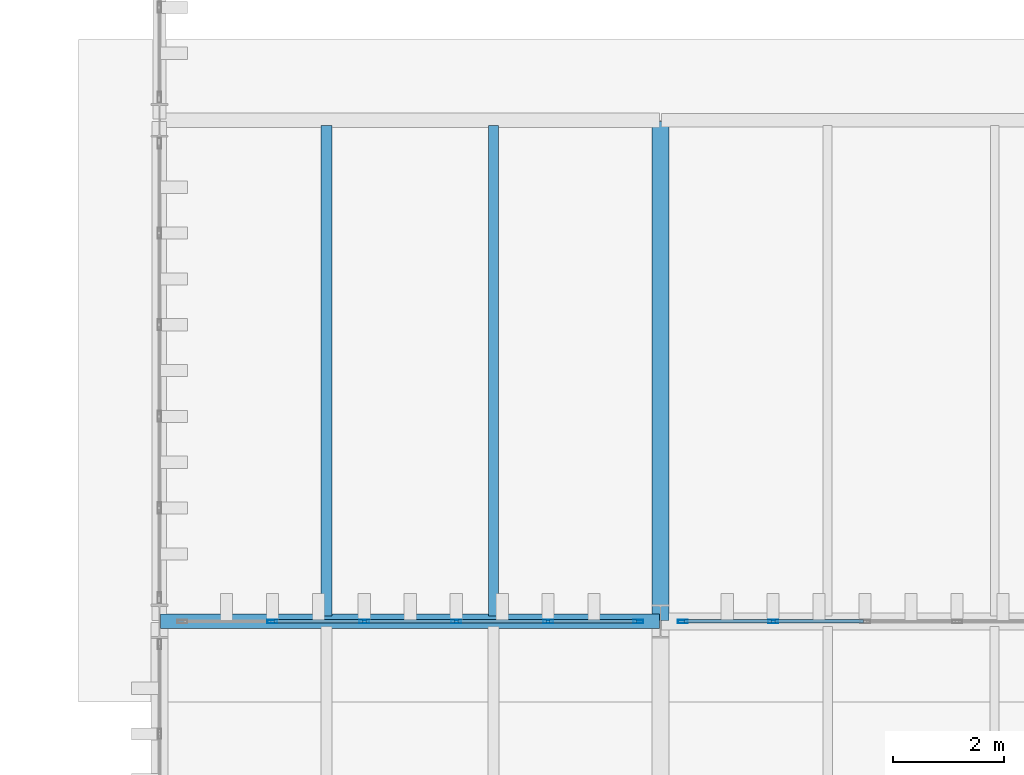
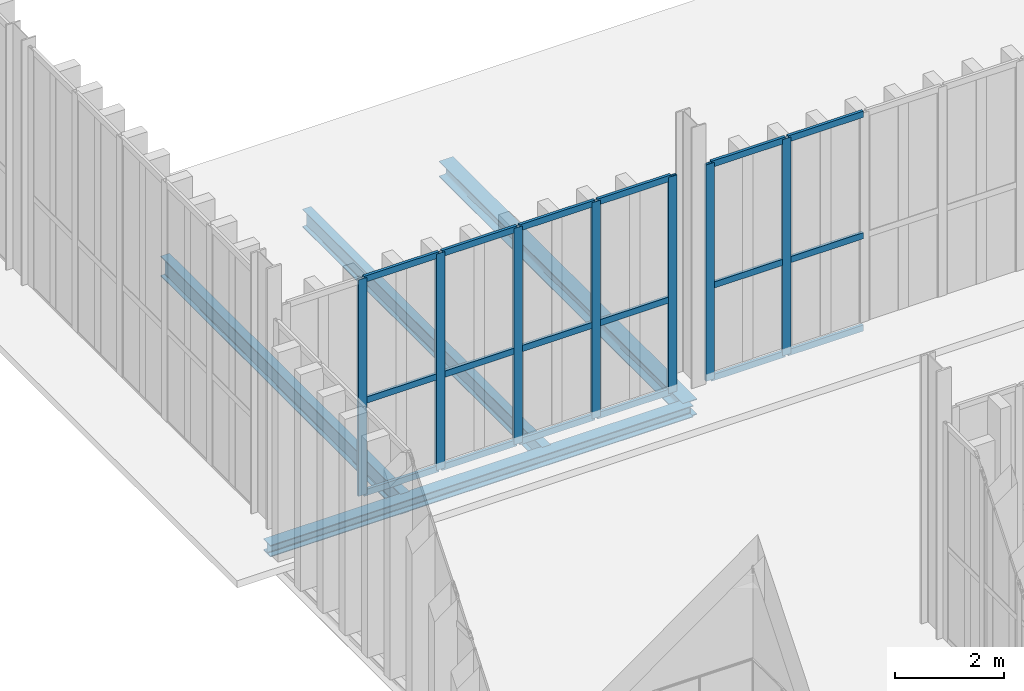
# One storey, part 150 of 237: 25 members, 4 beams, 2 elements without a shape of their own.
"""IFC4 building model written with IfcOpenShell, lengths in metres."""

from ifc_helpers import new_model, si_unit, direction, frame, origin, origin_2d, place, context, subcontext, project, spatial, hollow_rectangle, i_section, extrude, material, layer, layer_set, material_profile, profile_set, type_object, element, aggregate, save


model = new_model("IFC4")

# Units and contexts
model_context = context("Model", 3, precision=1e-05, world=origin(), true_north=direction((0.0, 1.0)))
body_context = subcontext(model_context, "Body", "Model", "MODEL_VIEW")
ifc_project = project(units=[si_unit("LENGTHUNIT", "METRE"), si_unit("AREAUNIT", "SQUARE_METRE"), si_unit("VOLUMEUNIT", "CUBIC_METRE"), si_unit("PLANEANGLEUNIT", "RADIAN"), si_unit("MASSUNIT", "GRAM", prefix="KILO")], contexts=[model_context])

# Site, building, storey
site_placement = place(None, origin())
site = spatial("IfcSite", under=ifc_project, at=site_placement, CompositionType="ELEMENT")
building_placement = place(site_placement, origin())
building = spatial("IfcBuilding", under=site, at=building_placement, Name="Barlavento Convention Centre", CompositionType="ELEMENT")
storey_placement = place(building_placement, frame((0.0, 0.0, 12.0)))
storey = spatial("IfcBuildingStorey", under=building, at=storey_placement, Name="L02", CompositionType="ELEMENT", Elevation=12.0)

# Curtain wall, members
ifc_material_1 = material(Name="Powder-coated aluminium and Low-E glass", Category="aluminium")
ifc_layer = layer(ifc_material_1, 0.195068359375)
ifc_layer_set = layer_set([ifc_layer], Name="ARC-CW-BALL-L02")
curtain_wall_type = type_object("IfcCurtainWallType", Name="ARC-CW-BALL-L02", PredefinedType="NOTDEFINED", material=ifc_layer_set)
curtain_wall_1_placement = place(storey_placement, origin())
curtain_wall_1 = element("IfcCurtainWall", 1, at=curtain_wall_1_placement, inside=storey, type_object=curtain_wall_type, Name="L02 unitised curtain wall CW07", PredefinedType="NOTDEFINED")
ifc_material_2 = material(Name="Powder-coated aluminium", Category="aluminium")
ifc_material_profile_1 = material_profile(ifc_material_2, hollow_rectangle(XDim=0.06005859375, YDim=0.179931640625, WallThickness=0.0048828125, at=origin_2d()), Name="AL-MULL 60x180x5")
ifc_profile_set_1 = profile_set([ifc_material_profile_1], Name="Powder-coated aluminium")
member_type_1 = type_object("IfcMemberType", Name="ARC-CWM-60X180", PredefinedType="MULLION", material=ifc_profile_set_1)
member_1_placement = place(storey_placement, frame((128.030029296875, 99.0, 0.0), z_axis=(0.0, 0.0, 1.0), x_axis=(0.0, 1.0, 0.0)))
member_1 = element("IfcMember", 2, at=member_1_placement, type_object=member_type_1, Name="CW07 mullion 2", PredefinedType="MULLION", context=body_context, shape_type="SweptSolid", body=[
    extrude(hollow_rectangle(XDim=0.06005859375, YDim=0.179931640625, WallThickness=0.0048828125, at=origin_2d()), origin(), (0.0, 0.0, 1.0), 4.85009765625),
])
member_2_placement = place(storey_placement, frame((129.679931640625, 99.0, 0.0), z_axis=(0.0, 0.0, 1.0), x_axis=(0.0, 1.0, 0.0)))
member_2 = element("IfcMember", 3, at=member_2_placement, type_object=member_type_1, Name="CW07 mullion 3", PredefinedType="MULLION", context=body_context, shape_type="SweptSolid", body=[
    extrude(hollow_rectangle(XDim=0.06005859375, YDim=0.179931640625, WallThickness=0.0048828125, at=origin_2d()), origin(), (0.0, 0.0, 1.0), 4.85009765625),
])
member_3_placement = place(storey_placement, frame((131.330078125, 99.0, 0.0), z_axis=(0.0, 0.0, 1.0), x_axis=(0.0, 1.0, 0.0)))
member_3 = element("IfcMember", 4, at=member_3_placement, type_object=member_type_1, Name="CW07 mullion 4", PredefinedType="MULLION", context=body_context, shape_type="SweptSolid", body=[
    extrude(hollow_rectangle(XDim=0.06005859375, YDim=0.179931640625, WallThickness=0.0048828125, at=origin_2d()), origin(), (0.0, 0.0, 1.0), 4.85009765625),
])
member_4_placement = place(storey_placement, frame((132.97998046875, 99.0, 0.0), z_axis=(0.0, 0.0, 1.0), x_axis=(0.0, 1.0, 0.0)))
member_4 = element("IfcMember", 5, at=member_4_placement, type_object=member_type_1, Name="CW07 mullion 5", PredefinedType="MULLION", context=body_context, shape_type="SweptSolid", body=[
    extrude(hollow_rectangle(XDim=0.06005859375, YDim=0.179931640625, WallThickness=0.0048828125, at=origin_2d()), origin(), (0.0, 0.0, 1.0), 4.85009765625),
])
member_5_placement = place(storey_placement, frame((134.60009765625, 99.0, 0.0), z_axis=(0.0, 0.0, 1.0), x_axis=(0.0, 1.0, 0.0)))
member_5 = element("IfcMember", 6, at=member_5_placement, type_object=member_type_1, Name="CW07 mullion 6", PredefinedType="MULLION", context=body_context, shape_type="SweptSolid", body=[
    extrude(hollow_rectangle(XDim=0.06005859375, YDim=0.179931640625, WallThickness=0.0048828125, at=origin_2d()), origin(), (0.0, 0.0, 1.0), 4.85009765625),
])

curtain_wall_2_placement = place(storey_placement, origin())
curtain_wall_2 = element("IfcCurtainWall", 7, at=curtain_wall_2_placement, inside=storey, type_object=curtain_wall_type, Name="L02 unitised curtain wall CW07", PredefinedType="NOTDEFINED")
member_6_placement = place(storey_placement, frame((135.39990234375, 99.0, 0.0), z_axis=(0.0, 0.0, 1.0), x_axis=(0.0, 1.0, 0.0)))
member_6 = element("IfcMember", 8, at=member_6_placement, type_object=member_type_1, Name="CW07 mullion 1", PredefinedType="MULLION", context=body_context, shape_type="SweptSolid", body=[
    extrude(hollow_rectangle(XDim=0.06005859375, YDim=0.179931640625, WallThickness=0.0048828125, at=origin_2d()), origin(), (0.0, 0.0, 1.0), 4.85009765625),
])
member_7_placement = place(storey_placement, frame((137.02197265625, 99.0, 0.0), z_axis=(0.0, 0.0, 1.0), x_axis=(0.0, 1.0, 0.0)))
member_7 = element("IfcMember", 9, at=member_7_placement, type_object=member_type_1, Name="CW07 mullion 2", PredefinedType="MULLION", context=body_context, shape_type="SweptSolid", body=[
    extrude(hollow_rectangle(XDim=0.06005859375, YDim=0.179931640625, WallThickness=0.0048828125, at=origin_2d()), origin(), (0.0, 0.0, 1.0), 4.85009765625),
])

# Member
ifc_material_profile_2 = material_profile(ifc_material_2, hollow_rectangle(XDim=0.06005859375, YDim=0.139892578125, WallThickness=0.00390625, at=origin_2d()), Name="AL-TRAN 60x140x4")
ifc_profile_set_2 = profile_set([ifc_material_profile_2], Name="Powder-coated aluminium")
member_type_2 = type_object("IfcMemberType", Name="ARC-CWT-60X140", PredefinedType="USERDEFINED", material=ifc_profile_set_2)
member_8_placement = place(storey_placement, frame((128.06005859375, 99.0, 0.030029296875), z_axis=(1.0, 0.0, 0.0), x_axis=(0.0, 1.0, 0.0)))
member_8 = element("IfcMember", 10, at=member_8_placement, type_object=member_type_2, Name="CW07 transom 2.1", ObjectType="TRANSOM", PredefinedType="USERDEFINED", context=body_context, shape_type="SweptSolid", body=[
    extrude(hollow_rectangle(XDim=0.06005859375, YDim=0.139892578125, WallThickness=0.00390625, at=origin_2d()), origin(), (0.0, 0.0, 1.0), 1.58984375),
])

member_9_placement = place(storey_placement, frame((128.06005859375, 99.0, 2.10009765625), z_axis=(1.0, 0.0, 0.0), x_axis=(0.0, 1.0, 0.0)))
member_9 = element("IfcMember", 11, at=member_9_placement, type_object=member_type_2, Name="CW07 transom 2.2", ObjectType="TRANSOM", PredefinedType="USERDEFINED", context=body_context, shape_type="SweptSolid", body=[
    extrude(hollow_rectangle(XDim=0.06005859375, YDim=0.139892578125, WallThickness=0.00390625, at=origin_2d()), origin(), (0.0, 0.0, 1.0), 1.58984375),
])

member_10_placement = place(storey_placement, frame((128.06005859375, 99.0, 4.820068359375), z_axis=(1.0, 0.0, 0.0), x_axis=(0.0, 1.0, 0.0)))
member_10 = element("IfcMember", 12, at=member_10_placement, type_object=member_type_2, Name="CW07 transom 2.3", ObjectType="TRANSOM", PredefinedType="USERDEFINED", context=body_context, shape_type="SweptSolid", body=[
    extrude(hollow_rectangle(XDim=0.06005859375, YDim=0.139892578125, WallThickness=0.00390625, at=origin_2d()), origin(), (0.0, 0.0, 1.0), 1.58984375),
])

member_11_placement = place(storey_placement, frame((129.7099609375, 99.0, 0.030029296875), z_axis=(1.0, 0.0, 0.0), x_axis=(0.0, 1.0, 0.0)))
member_11 = element("IfcMember", 13, at=member_11_placement, type_object=member_type_2, Name="CW07 transom 3.1", ObjectType="TRANSOM", PredefinedType="USERDEFINED", context=body_context, shape_type="SweptSolid", body=[
    extrude(hollow_rectangle(XDim=0.06005859375, YDim=0.139892578125, WallThickness=0.00390625, at=origin_2d()), origin(), (0.0, 0.0, 1.0), 1.590087890625),
])

member_12_placement = place(storey_placement, frame((129.7099609375, 99.0, 2.10009765625), z_axis=(1.0, 0.0, 0.0), x_axis=(0.0, 1.0, 0.0)))
member_12 = element("IfcMember", 14, at=member_12_placement, type_object=member_type_2, Name="CW07 transom 3.2", ObjectType="TRANSOM", PredefinedType="USERDEFINED", context=body_context, shape_type="SweptSolid", body=[
    extrude(hollow_rectangle(XDim=0.06005859375, YDim=0.139892578125, WallThickness=0.00390625, at=origin_2d()), origin(), (0.0, 0.0, 1.0), 1.590087890625),
])

member_13_placement = place(storey_placement, frame((129.7099609375, 99.0, 4.820068359375), z_axis=(1.0, 0.0, 0.0), x_axis=(0.0, 1.0, 0.0)))
member_13 = element("IfcMember", 15, at=member_13_placement, type_object=member_type_2, Name="CW07 transom 3.3", ObjectType="TRANSOM", PredefinedType="USERDEFINED", context=body_context, shape_type="SweptSolid", body=[
    extrude(hollow_rectangle(XDim=0.06005859375, YDim=0.139892578125, WallThickness=0.00390625, at=origin_2d()), origin(), (0.0, 0.0, 1.0), 1.590087890625),
])

member_14_placement = place(storey_placement, frame((131.360107421875, 99.0, 0.030029296875), z_axis=(1.0, 0.0, 0.0), x_axis=(0.0, 1.0, 0.0)))
member_14 = element("IfcMember", 16, at=member_14_placement, type_object=member_type_2, Name="CW07 transom 4.1", ObjectType="TRANSOM", PredefinedType="USERDEFINED", context=body_context, shape_type="SweptSolid", body=[
    extrude(hollow_rectangle(XDim=0.06005859375, YDim=0.139892578125, WallThickness=0.00390625, at=origin_2d()), origin(), (0.0, 0.0, 1.0), 1.58984375),
])

member_15_placement = place(storey_placement, frame((131.360107421875, 99.0, 2.10009765625), z_axis=(1.0, 0.0, 0.0), x_axis=(0.0, 1.0, 0.0)))
member_15 = element("IfcMember", 17, at=member_15_placement, type_object=member_type_2, Name="CW07 transom 4.2", ObjectType="TRANSOM", PredefinedType="USERDEFINED", context=body_context, shape_type="SweptSolid", body=[
    extrude(hollow_rectangle(XDim=0.06005859375, YDim=0.139892578125, WallThickness=0.00390625, at=origin_2d()), origin(), (0.0, 0.0, 1.0), 1.58984375),
])

member_16_placement = place(storey_placement, frame((131.360107421875, 99.0, 4.820068359375), z_axis=(1.0, 0.0, 0.0), x_axis=(0.0, 1.0, 0.0)))
member_16 = element("IfcMember", 18, at=member_16_placement, type_object=member_type_2, Name="CW07 transom 4.3", ObjectType="TRANSOM", PredefinedType="USERDEFINED", context=body_context, shape_type="SweptSolid", body=[
    extrude(hollow_rectangle(XDim=0.06005859375, YDim=0.139892578125, WallThickness=0.00390625, at=origin_2d()), origin(), (0.0, 0.0, 1.0), 1.58984375),
])

member_17_placement = place(storey_placement, frame((133.010009765625, 99.0, 0.030029296875), z_axis=(1.0, 0.0, 0.0), x_axis=(0.0, 1.0, 0.0)))
member_17 = element("IfcMember", 19, at=member_17_placement, type_object=member_type_2, Name="CW07 transom 5.1", ObjectType="TRANSOM", PredefinedType="USERDEFINED", context=body_context, shape_type="SweptSolid", body=[
    extrude(hollow_rectangle(XDim=0.06005859375, YDim=0.139892578125, WallThickness=0.00390625, at=origin_2d()), origin(), (0.0, 0.0, 1.0), 1.56005859375),
])

member_18_placement = place(storey_placement, frame((133.010009765625, 99.0, 2.10009765625), z_axis=(1.0, 0.0, 0.0), x_axis=(0.0, 1.0, 0.0)))
member_18 = element("IfcMember", 20, at=member_18_placement, type_object=member_type_2, Name="CW07 transom 5.2", ObjectType="TRANSOM", PredefinedType="USERDEFINED", context=body_context, shape_type="SweptSolid", body=[
    extrude(hollow_rectangle(XDim=0.06005859375, YDim=0.139892578125, WallThickness=0.00390625, at=origin_2d()), origin(), (0.0, 0.0, 1.0), 1.56005859375),
])

member_19_placement = place(storey_placement, frame((133.010009765625, 99.0, 4.820068359375), z_axis=(1.0, 0.0, 0.0), x_axis=(0.0, 1.0, 0.0)))
member_19 = element("IfcMember", 21, at=member_19_placement, type_object=member_type_2, Name="CW07 transom 5.3", ObjectType="TRANSOM", PredefinedType="USERDEFINED", context=body_context, shape_type="SweptSolid", body=[
    extrude(hollow_rectangle(XDim=0.06005859375, YDim=0.139892578125, WallThickness=0.00390625, at=origin_2d()), origin(), (0.0, 0.0, 1.0), 1.56005859375),
])

aggregate(curtain_wall_1, [member_1, member_2, member_3, member_4, member_5, member_8, member_9, member_10, member_11, member_12, member_13, member_14, member_15, member_16, member_17, member_18, member_19])

member_20_placement = place(storey_placement, frame((135.429931640625, 99.0, 0.030029296875), z_axis=(1.0, 0.0, 0.0), x_axis=(0.0, 1.0, 0.0)))
member_20 = element("IfcMember", 22, at=member_20_placement, type_object=member_type_2, Name="CW07 transom 1.1", ObjectType="TRANSOM", PredefinedType="USERDEFINED", context=body_context, shape_type="SweptSolid", body=[
    extrude(hollow_rectangle(XDim=0.06005859375, YDim=0.139892578125, WallThickness=0.00390625, at=origin_2d()), origin(), (0.0, 0.0, 1.0), 1.56201171875),
])

member_21_placement = place(storey_placement, frame((135.429931640625, 99.0, 2.10009765625), z_axis=(1.0, 0.0, 0.0), x_axis=(0.0, 1.0, 0.0)))
member_21 = element("IfcMember", 23, at=member_21_placement, type_object=member_type_2, Name="CW07 transom 1.2", ObjectType="TRANSOM", PredefinedType="USERDEFINED", context=body_context, shape_type="SweptSolid", body=[
    extrude(hollow_rectangle(XDim=0.06005859375, YDim=0.139892578125, WallThickness=0.00390625, at=origin_2d()), origin(), (0.0, 0.0, 1.0), 1.56201171875),
])

member_22_placement = place(storey_placement, frame((135.429931640625, 99.0, 4.820068359375), z_axis=(1.0, 0.0, 0.0), x_axis=(0.0, 1.0, 0.0)))
member_22 = element("IfcMember", 24, at=member_22_placement, type_object=member_type_2, Name="CW07 transom 1.3", ObjectType="TRANSOM", PredefinedType="USERDEFINED", context=body_context, shape_type="SweptSolid", body=[
    extrude(hollow_rectangle(XDim=0.06005859375, YDim=0.139892578125, WallThickness=0.00390625, at=origin_2d()), origin(), (0.0, 0.0, 1.0), 1.56201171875),
])

member_23_placement = place(storey_placement, frame((137.052001953125, 99.0, 0.030029296875), z_axis=(1.0, 0.0, 0.0), x_axis=(0.0, 1.0, 0.0)))
member_23 = element("IfcMember", 25, at=member_23_placement, type_object=member_type_2, Name="CW07 transom 2.1", ObjectType="TRANSOM", PredefinedType="USERDEFINED", context=body_context, shape_type="SweptSolid", body=[
    extrude(hollow_rectangle(XDim=0.06005859375, YDim=0.139892578125, WallThickness=0.00390625, at=origin_2d()), origin(), (0.0, 0.0, 1.0), 1.592041015625),
])

member_24_placement = place(storey_placement, frame((137.052001953125, 99.0, 2.10009765625), z_axis=(1.0, 0.0, 0.0), x_axis=(0.0, 1.0, 0.0)))
member_24 = element("IfcMember", 26, at=member_24_placement, type_object=member_type_2, Name="CW07 transom 2.2", ObjectType="TRANSOM", PredefinedType="USERDEFINED", context=body_context, shape_type="SweptSolid", body=[
    extrude(hollow_rectangle(XDim=0.06005859375, YDim=0.139892578125, WallThickness=0.00390625, at=origin_2d()), origin(), (0.0, 0.0, 1.0), 1.592041015625),
])

member_25_placement = place(storey_placement, frame((137.052001953125, 99.0, 4.820068359375), z_axis=(1.0, 0.0, 0.0), x_axis=(0.0, 1.0, 0.0)))
member_25 = element("IfcMember", 27, at=member_25_placement, type_object=member_type_2, Name="CW07 transom 2.3", ObjectType="TRANSOM", PredefinedType="USERDEFINED", context=body_context, shape_type="SweptSolid", body=[
    extrude(hollow_rectangle(XDim=0.06005859375, YDim=0.139892578125, WallThickness=0.00390625, at=origin_2d()), origin(), (0.0, 0.0, 1.0), 1.592041015625),
])

aggregate(curtain_wall_2, [member_6, member_7, member_20, member_21, member_22, member_23, member_24, member_25])

# Beams
ifc_material_3 = material(Name="Steel S355", Category="steel")
ifc_material_profile_3 = material_profile(ifc_material_3, i_section(OverallWidth=0.179931640625, OverallDepth=0.39990234375, WebThickness=0.008544921875, FlangeThickness=0.013427734375, FilletRadius=0.02099609375, at=origin_2d()), Name="IPE 400")
ifc_profile_set_3 = profile_set([ifc_material_profile_3], Name="Steel S355")
beam_type_1 = type_object("IfcBeamType", Name="STR-BM-JST-IPE400", PredefinedType="JOIST", material=ifc_profile_set_3)
beam_1_placement = place(storey_placement, frame((132.0, 99.094970703125, -0.56494140625), z_axis=(0.0, 1.0, 0.0), x_axis=(-1.0, 0.0, 0.0)))
element("IfcBeam", 28, at=beam_1_placement, inside=storey, type_object=beam_type_1, Name="L02 composite floor joist SJ04", PredefinedType="JOIST", context=body_context, shape_type="SweptSolid", body=[
    extrude(i_section(OverallWidth=0.179931640625, OverallDepth=0.39990234375, WebThickness=0.008544921875, FlangeThickness=0.013427734375, FilletRadius=0.02099609375, at=origin_2d()), origin(), (0.0, 0.0, 1.0), 8.81005859375),
])
ifc_material_profile_4 = material_profile(ifc_material_3, i_section(OverallWidth=0.18994140625, OverallDepth=0.449951171875, WebThickness=0.009521484375, FlangeThickness=0.0146484375, FilletRadius=0.02099609375, at=origin_2d()), Name="IPE 450")
ifc_profile_set_4 = profile_set([ifc_material_profile_4], Name="Steel S355")
beam_type_2 = type_object("IfcBeamType", Name="STR-BM-JST-IPE450", PredefinedType="JOIST", material=ifc_profile_set_4)
beam_2_placement = place(storey_placement, frame((129.0, 99.094970703125, -0.590087890625), z_axis=(0.0, 1.0, 0.0), x_axis=(-1.0, 0.0, 0.0)))
element("IfcBeam", 29, at=beam_2_placement, inside=storey, type_object=beam_type_2, Name="L02 composite floor joist SJ03", PredefinedType="JOIST", context=body_context, shape_type="SweptSolid", body=[
    extrude(i_section(OverallWidth=0.18994140625, OverallDepth=0.449951171875, WebThickness=0.009521484375, FlangeThickness=0.0146484375, FilletRadius=0.02099609375, at=origin_2d()), origin(), (0.0, 0.0, 1.0), 8.81005859375),
])
ifc_material_profile_5 = material_profile(ifc_material_3, i_section(OverallWidth=0.300048828125, OverallDepth=0.35009765625, WebThickness=0.010009765625, FlangeThickness=0.017578125, FilletRadius=0.027099609375, at=origin_2d()), Name="HEA 360")
ifc_profile_set_5 = profile_set([ifc_material_profile_5], Name="Steel S355")
beam_type_3 = type_object("IfcBeamType", Name="STR-BM-PRI-HEA360", PredefinedType="BEAM", material=ifc_profile_set_5)
beam_3_placement = place(storey_placement, frame((135.0, 99.02001953125, -0.5400390625), z_axis=(0.0, 1.0, 0.0), x_axis=(-1.0, 0.0, 0.0)))
element("IfcBeam", 30, at=beam_3_placement, inside=storey, type_object=beam_type_3, Name="L02 grid girder BG23", PredefinedType="BEAM", context=body_context, shape_type="SweptSolid", body=[
    extrude(i_section(OverallWidth=0.300048828125, OverallDepth=0.35009765625, WebThickness=0.010009765625, FlangeThickness=0.017578125, FilletRadius=0.027099609375, at=origin_2d()), origin(), (0.0, 0.0, 1.0), 8.9599609375),
])
ifc_material_profile_6 = material_profile(ifc_material_3, i_section(OverallWidth=0.260009765625, OverallDepth=0.260009765625, WebThickness=0.010009765625, FlangeThickness=0.017578125, FilletRadius=0.02392578125, at=origin_2d()), Name="HEB 260")
ifc_profile_set_6 = profile_set([ifc_material_profile_6], Name="Steel S355")
beam_type_4 = type_object("IfcBeamType", Name="STR-BM-PRI-HEB260", PredefinedType="BEAM", material=ifc_profile_set_6)
beam_4_placement = place(storey_placement, frame((126.02001953125, 99.0, -0.4951171875), z_axis=(1.0, 0.0, 0.0), x_axis=(0.0, 1.0, 0.0)))
element("IfcBeam", 31, at=beam_4_placement, inside=storey, type_object=beam_type_4, Name="L02 primary girder BG16", PredefinedType="BEAM", context=body_context, shape_type="SweptSolid", body=[
    extrude(i_section(OverallWidth=0.260009765625, OverallDepth=0.260009765625, WebThickness=0.010009765625, FlangeThickness=0.017578125, FilletRadius=0.02392578125, at=origin_2d()), origin(), (0.0, 0.0, 1.0), 8.9599609375),
])

save(model, "model.ifc")
